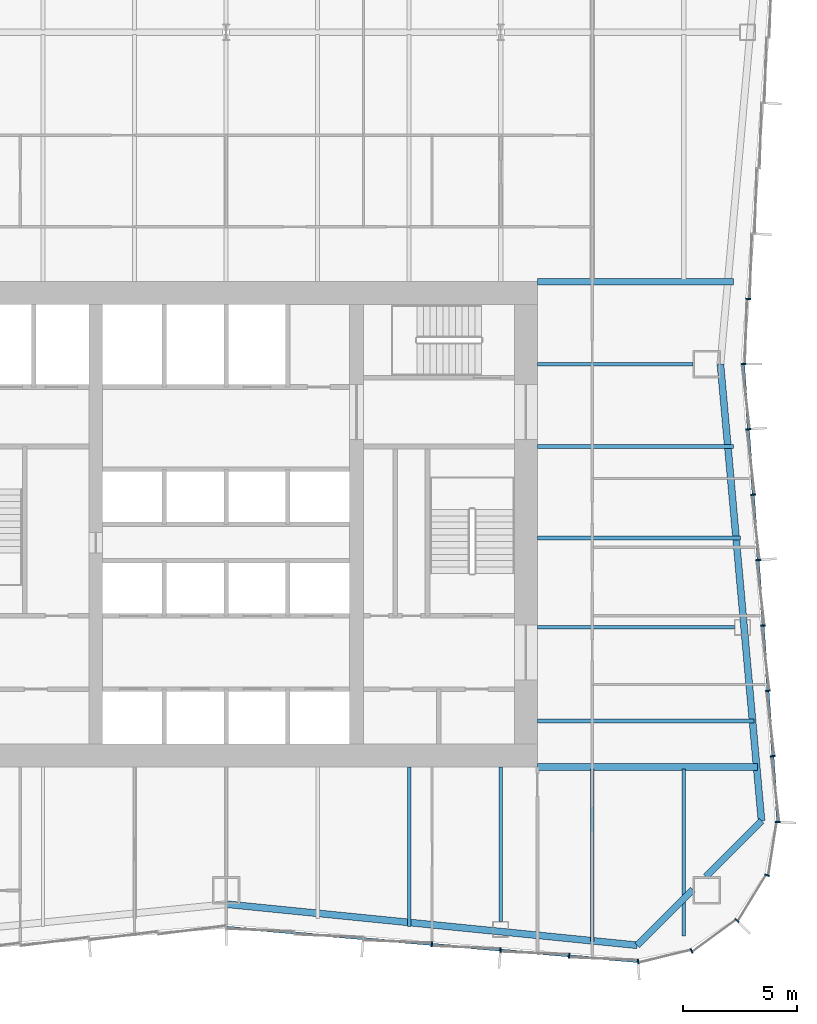
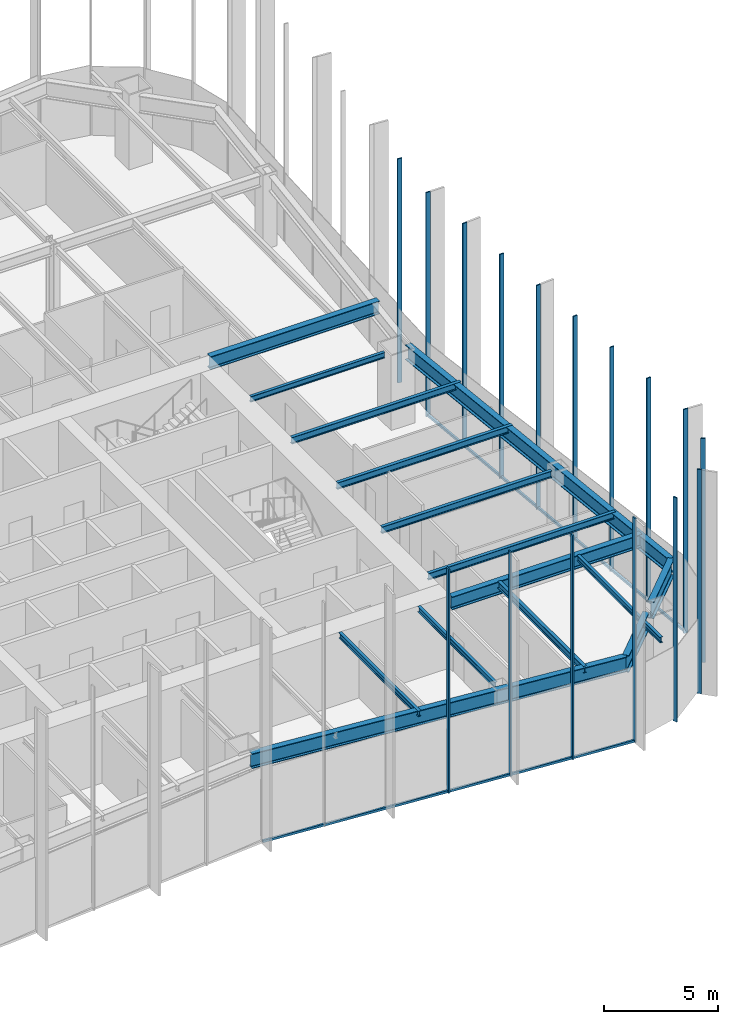
# One storey, part 4 of 13: 18 members, 15 beams, 3 elements without a shape of their own.
"""IFC4 building model written with IfcOpenShell, lengths in metres."""

from ifc_helpers import new_model, si_unit, direction, frame, origin, origin_2d, place, context, subcontext, project, spatial, rectangle, i_section, extrude, material, material_profile, profile_set, type_object, element, aggregate, save


model = new_model("IFC4")

# Units and contexts
model_context = context("Model", 3, precision=1e-05, world=origin(), true_north=direction((0.0, 1.0)))
body_context = subcontext(model_context, "Body", "Model", "MODEL_VIEW")
ifc_project = project(units=[si_unit("LENGTHUNIT", "METRE"), si_unit("AREAUNIT", "SQUARE_METRE"), si_unit("VOLUMEUNIT", "CUBIC_METRE"), si_unit("PLANEANGLEUNIT", "RADIAN"), si_unit("MASSUNIT", "GRAM", prefix="KILO")], contexts=[model_context])

# Site, building, storey
site_placement = place(None, origin())
site = spatial("IfcSite", under=ifc_project, at=site_placement, CompositionType="ELEMENT")
building_placement = place(site_placement, origin())
building = spatial("IfcBuilding", under=site, at=building_placement, Name="Verdant Reach Tower", CompositionType="ELEMENT")
storey_placement = place(building_placement, frame((0.0, 0.0, 138.0)))
storey = spatial("IfcBuildingStorey", under=building, at=storey_placement, Name="L31", CompositionType="ELEMENT", Elevation=138.0)

# Curtain wall, members
ifc_material_1 = material(Name="Anodised aluminium", Category="aluminium")
curtain_wall_type = type_object("IfcCurtainWallType", Name="EN-CW SYSTEM Z2", PredefinedType="NOTDEFINED", material=ifc_material_1)
curtain_wall_1_placement = place(storey_placement, origin())
curtain_wall_1 = element("IfcCurtainWall", 1, at=curtain_wall_1_placement, inside=storey, type_object=curtain_wall_type, Name="Curtain wall south-east corner, L31", PredefinedType="NOTDEFINED")
ifc_material_profile_1 = material_profile(ifc_material_1, rectangle(XDim=0.2119140625, YDim=0.06396484375, at=origin_2d()), Name="Mullion 64x212")
ifc_profile_set_1 = profile_set([ifc_material_profile_1], Name="Anodised aluminium")
member_type_1 = type_object("IfcMemberType", Name="EN-MULLION Z2", PredefinedType="MULLION", material=ifc_profile_set_1)
member_1_placement = place(storey_placement, frame((18.006103515625, 8.894287109375, -0.35009765625), z_axis=(0.0, 0.0, 1.0), x_axis=(0.056569187765, -0.998398681387, 0.0)))
member_1 = element("IfcMember", 2, at=member_1_placement, type_object=member_type_1, Name="Mullion south-east corner 1, L31", PredefinedType="MULLION", context=body_context, shape_type="SweptSolid", body=[
    extrude(rectangle(XDim=0.2119140625, YDim=0.06396484375, at=origin_2d()), origin(), (0.0, 0.0, 1.0), 12.0),
])
member_2_placement = place(storey_placement, frame((20.336669921875, 9.35888671875, -0.35009765625), z_axis=(0.0, 0.0, 1.0), x_axis=(0.382693853776, -0.923875215753, 0.0)))
member_2 = element("IfcMember", 3, at=member_2_placement, type_object=member_type_1, Name="Mullion south-east corner 2, L31", PredefinedType="MULLION", context=body_context, shape_type="SweptSolid", body=[
    extrude(rectangle(XDim=0.2119140625, YDim=0.06396484375, at=origin_2d()), origin(), (0.0, 0.0, 1.0), 12.0),
])
member_3_placement = place(storey_placement, frame((22.317626953125, 10.682373046875, -0.35009765625), z_axis=(0.0, 0.0, 1.0), x_axis=(0.707106781187, -0.707106781187, 0.0)))
member_3 = element("IfcMember", 4, at=member_3_placement, type_object=member_type_1, Name="Mullion south-east corner 3, L31", PredefinedType="MULLION", context=body_context, shape_type="SweptSolid", body=[
    extrude(rectangle(XDim=0.2119140625, YDim=0.06396484375, at=origin_2d()), origin(), (0.0, 0.0, 1.0), 12.0),
])
member_4_placement = place(storey_placement, frame((23.64111328125, 12.663330078125, -0.35009765625), z_axis=(0.0, 0.0, 1.0), x_axis=(0.923875215753, -0.382693853776, 0.0)))
member_4 = element("IfcMember", 5, at=member_4_placement, type_object=member_type_1, Name="Mullion south-east corner 4, L31", PredefinedType="MULLION", context=body_context, shape_type="SweptSolid", body=[
    extrude(rectangle(XDim=0.2119140625, YDim=0.06396484375, at=origin_2d()), origin(), (0.0, 0.0, 1.0), 12.0),
])
aggregate(curtain_wall_1, [member_1, member_2, member_3, member_4])

curtain_wall_2_placement = place(storey_placement, origin())
curtain_wall_2 = element("IfcCurtainWall", 6, at=curtain_wall_2_placement, inside=storey, type_object=curtain_wall_type, Name="Curtain wall east, L31", PredefinedType="NOTDEFINED")
member_5_placement = place(storey_placement, frame((24.105712890625, 14.99365234375, -0.35009765625), z_axis=(0.0, 0.0, 1.0), x_axis=(0.998155887542, -0.060702752526, 0.0)))
member_5 = element("IfcMember", 7, at=member_5_placement, type_object=member_type_1, Name="Mullion east face part 1 1, L31", PredefinedType="MULLION", context=body_context, shape_type="SweptSolid", body=[
    extrude(rectangle(XDim=0.2119140625, YDim=0.06396484375, at=origin_2d()), origin(), (0.0, 0.0, 1.0), 12.0),
])
member_6_placement = place(storey_placement, frame((23.891357421875, 17.864990234375, -0.35009765625), z_axis=(0.0, 0.0, 1.0), x_axis=(0.997199309888, 0.074789948245, 0.0)))
member_6 = element("IfcMember", 8, at=member_6_placement, type_object=member_type_1, Name="Mullion east face part 1 2, L31", PredefinedType="MULLION", context=body_context, shape_type="SweptSolid", body=[
    extrude(rectangle(XDim=0.2119140625, YDim=0.06396484375, at=origin_2d()), origin(), (0.0, 0.0, 1.0), 12.0),
])
member_7_placement = place(storey_placement, frame((23.67724609375, 20.72216796875, -0.35009765625), z_axis=(0.0, 0.0, 1.0), x_axis=(0.997199309888, 0.074789948245, 0.0)))
member_7 = element("IfcMember", 9, at=member_7_placement, type_object=member_type_1, Name="Mullion east face part 1 3, L31", PredefinedType="MULLION", context=body_context, shape_type="SweptSolid", body=[
    extrude(rectangle(XDim=0.2119140625, YDim=0.06396484375, at=origin_2d()), origin(), (0.0, 0.0, 1.0), 12.0),
])
member_8_placement = place(storey_placement, frame((23.462890625, 23.579345703125, -0.35009765625), z_axis=(0.0, 0.0, 1.0), x_axis=(0.997199309888, 0.074789948245, 0.0)))
member_8 = element("IfcMember", 10, at=member_8_placement, type_object=member_type_1, Name="Mullion east face part 1 4, L31", PredefinedType="MULLION", context=body_context, shape_type="SweptSolid", body=[
    extrude(rectangle(XDim=0.2119140625, YDim=0.06396484375, at=origin_2d()), origin(), (0.0, 0.0, 1.0), 12.0),
])
member_9_placement = place(storey_placement, frame((23.24853515625, 26.4365234375, -0.35009765625), z_axis=(0.0, 0.0, 1.0), x_axis=(0.997199309888, 0.074789948245, 0.0)))
member_9 = element("IfcMember", 11, at=member_9_placement, type_object=member_type_1, Name="Mullion east face part 1 5, L31", PredefinedType="MULLION", context=body_context, shape_type="SweptSolid", body=[
    extrude(rectangle(XDim=0.2119140625, YDim=0.06396484375, at=origin_2d()), origin(), (0.0, 0.0, 1.0), 12.0),
])
member_10_placement = place(storey_placement, frame((23.0341796875, 29.293701171875, -0.35009765625), z_axis=(0.0, 0.0, 1.0), x_axis=(0.997199309888, 0.074789948245, 0.0)))
member_10 = element("IfcMember", 12, at=member_10_placement, type_object=member_type_1, Name="Mullion east face part 1 6, L31", PredefinedType="MULLION", context=body_context, shape_type="SweptSolid", body=[
    extrude(rectangle(XDim=0.2119140625, YDim=0.06396484375, at=origin_2d()), origin(), (0.0, 0.0, 1.0), 12.0),
])
member_11_placement = place(storey_placement, frame((22.820068359375, 32.15087890625, -0.35009765625), z_axis=(0.0, 0.0, 1.0), x_axis=(0.997199309888, 0.074789948245, 0.0)))
member_11 = element("IfcMember", 13, at=member_11_placement, type_object=member_type_1, Name="Mullion east face part 1 7, L31", PredefinedType="MULLION", context=body_context, shape_type="SweptSolid", body=[
    extrude(rectangle(XDim=0.2119140625, YDim=0.06396484375, at=origin_2d()), origin(), (0.0, 0.0, 1.0), 12.0),
])
member_12_placement = place(storey_placement, frame((22.60595703125, 35.0, -0.35009765625), z_axis=(0.0, 0.0, 1.0), x_axis=(1.0, 0.0, 0.0)))
member_12 = element("IfcMember", 14, at=member_12_placement, type_object=member_type_1, Name="Mullion east face part 2 1, L31", PredefinedType="MULLION", context=body_context, shape_type="SweptSolid", body=[
    extrude(rectangle(XDim=0.2119140625, YDim=0.06396484375, at=origin_2d()), origin(), (0.0, 0.0, 1.0), 12.0),
])
member_13_placement = place(storey_placement, frame((22.820068359375, 37.84912109375, -0.35009765625), z_axis=(0.0, 0.0, 1.0), x_axis=(0.997199309888, -0.074789948245, 0.0)))
member_13 = element("IfcMember", 15, at=member_13_placement, type_object=member_type_1, Name="Mullion east face part 2 2, L31", PredefinedType="MULLION", context=body_context, shape_type="SweptSolid", body=[
    extrude(rectangle(XDim=0.2119140625, YDim=0.06396484375, at=origin_2d()), origin(), (0.0, 0.0, 1.0), 12.0),
])

curtain_wall_3_placement = place(storey_placement, origin())
curtain_wall_3 = element("IfcCurtainWall", 16, at=curtain_wall_3_placement, inside=storey, type_object=curtain_wall_type, Name="Curtain wall south, L31", PredefinedType="NOTDEFINED")
member_14_placement = place(storey_placement, frame((8.9912109375, 9.644287109375, -0.35009765625), z_axis=(0.0, 0.0, 1.0), x_axis=(-0.083045479859, -0.996545758244, 0.0)))
member_14 = element("IfcMember", 17, at=member_14_placement, type_object=member_type_1, Name="Mullion south face part 2 4, L31", PredefinedType="MULLION", context=body_context, shape_type="SweptSolid", body=[
    extrude(rectangle(XDim=0.2119140625, YDim=0.06396484375, at=origin_2d()), origin(), (0.0, 0.0, 1.0), 12.0),
])
member_15_placement = place(storey_placement, frame((11.9912109375, 9.394287109375, -0.35009765625), z_axis=(0.0, 0.0, 1.0), x_axis=(-0.083045479859, -0.996545758244, 0.0)))
member_15 = element("IfcMember", 18, at=member_15_placement, type_object=member_type_1, Name="Mullion south face part 2 5, L31", PredefinedType="MULLION", context=body_context, shape_type="SweptSolid", body=[
    extrude(rectangle(XDim=0.2119140625, YDim=0.06396484375, at=origin_2d()), origin(), (0.0, 0.0, 1.0), 12.0),
])
member_16_placement = place(storey_placement, frame((14.9912109375, 9.144287109375, -0.35009765625), z_axis=(0.0, 0.0, 1.0), x_axis=(-0.083045479859, -0.996545758244, 0.0)))
member_16 = element("IfcMember", 19, at=member_16_placement, type_object=member_type_1, Name="Mullion south face part 2 6, L31", PredefinedType="MULLION", context=body_context, shape_type="SweptSolid", body=[
    extrude(rectangle(XDim=0.2119140625, YDim=0.06396484375, at=origin_2d()), origin(), (0.0, 0.0, 1.0), 12.0),
])

# Member
ifc_material_profile_2 = material_profile(ifc_material_1, rectangle(XDim=0.10009765625, YDim=0.1240234375, at=origin_2d()), Name="Transom 124x100")
ifc_profile_set_2 = profile_set([ifc_material_profile_2], Name="Anodised aluminium")
member_type_2 = type_object("IfcMemberType", Name="EN-TRANSOM Z2", PredefinedType="USERDEFINED", material=ifc_profile_set_2)
member_17_placement = place(storey_placement, frame((24.103515625, 15.025390625, -0.2880859375), z_axis=(-0.07476111665, 0.997201471839, 0.0), x_axis=(-0.997201471839, -0.07476111665, 0.0)))
member_17 = element("IfcMember", 20, at=member_17_placement, type_object=member_type_2, Name="Transom east face part 1 1.1, L31", ObjectType="TRANSOM", PredefinedType="USERDEFINED", context=body_context, shape_type="SweptSolid", body=[
    extrude(rectangle(XDim=0.10009765625, YDim=0.1240234375, at=origin_2d()), origin(), (0.0, 0.0, 1.0), 19.99853515625),
])

aggregate(curtain_wall_2, [member_5, member_6, member_7, member_8, member_9, member_10, member_11, member_17, member_12, member_13])

member_18_placement = place(storey_placement, frame((0.031982421875, 10.391357421875, -0.2880859375), z_axis=(0.996548282776, -0.083015179915, 0.0), x_axis=(0.083015179915, 0.996548282776, 0.0)))
member_18 = element("IfcMember", 21, at=member_18_placement, type_object=member_type_2, Name="Transom south face part 2 1.1, L31", ObjectType="TRANSOM", PredefinedType="USERDEFINED", context=body_context, shape_type="SweptSolid", body=[
    extrude(rectangle(XDim=0.10009765625, YDim=0.1240234375, at=origin_2d()), origin(), (0.0, 0.0, 1.0), 18.00439453125),
])

aggregate(curtain_wall_3, [member_14, member_15, member_16, member_18])

# Beams
ifc_material_2 = material(Name="Steel S355", Category="steel")
ifc_material_profile_3 = material_profile(ifc_material_2, i_section(OverallWidth=0.300048828125, OverallDepth=0.699951171875, WebThickness=0.01708984375, FlangeThickness=0.031982421875, FilletRadius=0.027099609375, at=origin_2d()), Name="HEB 700")
ifc_profile_set_3 = profile_set([ifc_material_profile_3], Name="Steel S355")
beam_type_1 = type_object("IfcBeamType", Name="ST-BEAM-HEB700", PredefinedType="BEAM", material=ifc_profile_set_3)
beam_1_placement = place(storey_placement, frame((13.60009765625, 38.60009765625, 3.52001953125), z_axis=(1.0, 0.0, 0.0), x_axis=(0.0, 1.0, 0.0)))
element("IfcBeam", 22, at=beam_1_placement, inside=storey, type_object=beam_type_1, Name="Trimmer beam, L31", PredefinedType="BEAM", context=body_context, shape_type="SweptSolid", body=[
    extrude(i_section(OverallWidth=0.300048828125, OverallDepth=0.699951171875, WebThickness=0.01708984375, FlangeThickness=0.031982421875, FilletRadius=0.027099609375, at=origin_2d()), origin(), (0.0, 0.0, 1.0), 8.568115234375),
])
beam_2_placement = place(storey_placement, frame((13.60009765625, 17.39990234375, 3.52001953125), z_axis=(1.0, 0.0, 0.0), x_axis=(0.0, 1.0, 0.0)))
element("IfcBeam", 23, at=beam_2_placement, inside=storey, type_object=beam_type_1, Name="Trimmer beam, L31", PredefinedType="BEAM", context=body_context, shape_type="SweptSolid", body=[
    extrude(i_section(OverallWidth=0.300048828125, OverallDepth=0.699951171875, WebThickness=0.01708984375, FlangeThickness=0.031982421875, FilletRadius=0.027099609375, at=origin_2d()), origin(), (0.0, 0.0, 1.0), 9.6181640625),
])
ifc_material_profile_4 = material_profile(ifc_material_2, i_section(OverallWidth=0.14990234375, OverallDepth=0.300048828125, WebThickness=0.007080078125, FlangeThickness=0.0107421875, FilletRadius=0.014892578125, at=origin_2d()), Name="IPE 300")
ifc_profile_set_4 = profile_set([ifc_material_profile_4], Name="Steel S355")
beam_type_2 = type_object("IfcBeamType", Name="ST-JOIST-IPE300", PredefinedType="JOIST", material=ifc_profile_set_4)
beam_3_placement = place(storey_placement, frame((8.0, 17.39990234375, 3.719970703125), z_axis=(0.0, -1.0, 0.0), x_axis=(1.0, 0.0, 0.0)))
element("IfcBeam", 24, at=beam_3_placement, inside=storey, type_object=beam_type_2, Name="Floor joist, L31", PredefinedType="JOIST", context=body_context, shape_type="SweptSolid", body=[
    extrude(i_section(OverallWidth=0.14990234375, OverallDepth=0.300048828125, WebThickness=0.007080078125, FlangeThickness=0.0107421875, FilletRadius=0.014892578125, at=origin_2d()), origin(), (0.0, 0.0, 1.0), 6.964599609375),
])
beam_4_placement = place(storey_placement, frame((12.0, 17.39990234375, 3.719970703125), z_axis=(0.0, -1.0, 0.0), x_axis=(1.0, 0.0, 0.0)))
element("IfcBeam", 25, at=beam_4_placement, inside=storey, type_object=beam_type_2, Name="Floor joist, L31", PredefinedType="JOIST", context=body_context, shape_type="SweptSolid", body=[
    extrude(i_section(OverallWidth=0.14990234375, OverallDepth=0.300048828125, WebThickness=0.007080078125, FlangeThickness=0.0107421875, FilletRadius=0.014892578125, at=origin_2d()), origin(), (0.0, 0.0, 1.0), 6.75),
])
beam_5_placement = place(storey_placement, frame((20.0, 17.300048828125, 3.719970703125), z_axis=(0.0, -1.0, 0.0), x_axis=(1.0, 0.0, 0.0)))
element("IfcBeam", 26, at=beam_5_placement, inside=storey, type_object=beam_type_2, Name="Floor joist, L31", PredefinedType="JOIST", context=body_context, shape_type="SweptSolid", body=[
    extrude(i_section(OverallWidth=0.14990234375, OverallDepth=0.300048828125, WebThickness=0.007080078125, FlangeThickness=0.0107421875, FilletRadius=0.014892578125, at=origin_2d()), origin(), (0.0, 0.0, 1.0), 7.29052734375),
])
beam_6_placement = place(storey_placement, frame((13.60009765625, 35.0, 3.719970703125), z_axis=(1.0, 0.0, 0.0), x_axis=(0.0, 1.0, 0.0)))
element("IfcBeam", 27, at=beam_6_placement, inside=storey, type_object=beam_type_2, Name="Floor joist, L31", PredefinedType="JOIST", context=body_context, shape_type="SweptSolid", body=[
    extrude(i_section(OverallWidth=0.14990234375, OverallDepth=0.300048828125, WebThickness=0.007080078125, FlangeThickness=0.0107421875, FilletRadius=0.014892578125, at=origin_2d()), origin(), (0.0, 0.0, 1.0), 6.7998046875),
])
ifc_material_profile_5 = material_profile(ifc_material_2, i_section(OverallWidth=0.169921875, OverallDepth=0.360107421875, WebThickness=0.008056640625, FlangeThickness=0.0126953125, FilletRadius=0.01806640625, at=origin_2d()), Name="IPE 360")
ifc_profile_set_5 = profile_set([ifc_material_profile_5], Name="Steel S355")
beam_type_3 = type_object("IfcBeamType", Name="ST-JOIST-IPE360", PredefinedType="JOIST", material=ifc_profile_set_5)
beam_7_placement = place(storey_placement, frame((16.0, 17.300048828125, 3.68994140625), z_axis=(0.0, -1.0, 0.0), x_axis=(1.0, 0.0, 0.0)))
element("IfcBeam", 28, at=beam_7_placement, inside=storey, type_object=beam_type_3, Name="Floor joist, L31", PredefinedType="JOIST", context=body_context, shape_type="SweptSolid", body=[
    extrude(i_section(OverallWidth=0.169921875, OverallDepth=0.360107421875, WebThickness=0.008056640625, FlangeThickness=0.0126953125, FilletRadius=0.01806640625, at=origin_2d()), origin(), (0.0, 0.0, 1.0), 7.53125),
])
beam_8_placement = place(storey_placement, frame((13.60009765625, 19.39990234375, 3.68994140625), z_axis=(1.0, 0.0, 0.0), x_axis=(0.0, 1.0, 0.0)))
element("IfcBeam", 29, at=beam_8_placement, inside=storey, type_object=beam_type_3, Name="Floor joist, L31", PredefinedType="JOIST", context=body_context, shape_type="SweptSolid", body=[
    extrude(i_section(OverallWidth=0.169921875, OverallDepth=0.360107421875, WebThickness=0.008056640625, FlangeThickness=0.0126953125, FilletRadius=0.01806640625, at=origin_2d()), origin(), (0.0, 0.0, 1.0), 9.46826171875),
])
beam_9_placement = place(storey_placement, frame((13.60009765625, 23.5, 3.68994140625), z_axis=(1.0, 0.0, 0.0), x_axis=(0.0, 1.0, 0.0)))
element("IfcBeam", 30, at=beam_9_placement, inside=storey, type_object=beam_type_3, Name="Floor joist, L31", PredefinedType="JOIST", context=body_context, shape_type="SweptSolid", body=[
    extrude(i_section(OverallWidth=0.169921875, OverallDepth=0.360107421875, WebThickness=0.008056640625, FlangeThickness=0.0126953125, FilletRadius=0.01806640625, at=origin_2d()), origin(), (0.0, 0.0, 1.0), 8.6123046875),
])
beam_10_placement = place(storey_placement, frame((13.60009765625, 27.39990234375, 3.68994140625), z_axis=(1.0, 0.0, 0.0), x_axis=(0.0, 1.0, 0.0)))
element("IfcBeam", 31, at=beam_10_placement, inside=storey, type_object=beam_type_3, Name="Floor joist, L31", PredefinedType="JOIST", context=body_context, shape_type="SweptSolid", body=[
    extrude(i_section(OverallWidth=0.169921875, OverallDepth=0.360107421875, WebThickness=0.008056640625, FlangeThickness=0.0126953125, FilletRadius=0.01806640625, at=origin_2d()), origin(), (0.0, 0.0, 1.0), 8.8681640625),
])
beam_11_placement = place(storey_placement, frame((13.60009765625, 31.39990234375, 3.68994140625), z_axis=(1.0, 0.0, 0.0), x_axis=(0.0, 1.0, 0.0)))
element("IfcBeam", 32, at=beam_11_placement, inside=storey, type_object=beam_type_3, Name="Floor joist, L31", PredefinedType="JOIST", context=body_context, shape_type="SweptSolid", body=[
    extrude(i_section(OverallWidth=0.169921875, OverallDepth=0.360107421875, WebThickness=0.008056640625, FlangeThickness=0.0126953125, FilletRadius=0.01806640625, at=origin_2d()), origin(), (0.0, 0.0, 1.0), 8.568115234375),
])
ifc_material_profile_6 = material_profile(ifc_material_2, i_section(OverallWidth=0.300048828125, OverallDepth=0.800048828125, WebThickness=0.017578125, FlangeThickness=0.032958984375, FilletRadius=0.030029296875, at=origin_2d()), Name="HEB 800")
ifc_profile_set_6 = profile_set([ifc_material_profile_6], Name="Steel S355")
beam_type_4 = type_object("IfcBeamType", Name="ST-SPANDREL-HEB800", PredefinedType="SPANDREL", material=ifc_profile_set_6)
beam_12_placement = place(storey_placement, frame((17.9658203125, 9.60498046875, 3.469970703125), z_axis=(-0.995046289869, 0.099412680371, 0.0), x_axis=(-0.099412680371, -0.995046289869, 0.0)))
element("IfcBeam", 33, at=beam_12_placement, inside=storey, type_object=beam_type_4, Name="Edge beam, L31", PredefinedType="SPANDREL", context=body_context, shape_type="SweptSolid", body=[
    extrude(i_section(OverallWidth=0.300048828125, OverallDepth=0.800048828125, WebThickness=0.017578125, FlangeThickness=0.032958984375, FilletRadius=0.030029296875, at=origin_2d()), origin(), (0.0, 0.0, 1.0), 18.05517578125),
])
beam_13_placement = place(storey_placement, frame((21.60009765625, 35.0, 3.469970703125), z_axis=(0.089574749266, -0.995980102358, 0.0), x_axis=(0.995980102358, 0.089574749266, 0.0)))
element("IfcBeam", 34, at=beam_13_placement, inside=storey, type_object=beam_type_4, Name="Edge beam, L31", PredefinedType="SPANDREL", context=body_context, shape_type="SweptSolid", body=[
    extrude(i_section(OverallWidth=0.300048828125, OverallDepth=0.800048828125, WebThickness=0.017578125, FlangeThickness=0.032958984375, FilletRadius=0.030029296875, at=origin_2d()), origin(), (0.0, 0.0, 1.0), 20.043701171875),
])
ifc_material_profile_7 = material_profile(ifc_material_2, i_section(OverallWidth=0.302001953125, OverallDepth=0.909912109375, WebThickness=0.02099609375, FlangeThickness=0.0400390625, FilletRadius=0.030029296875, at=origin_2d()), Name="HEM 900")
ifc_profile_set_7 = profile_set([ifc_material_profile_7], Name="Steel S355")
beam_type_5 = type_object("IfcBeamType", Name="ST-SPANDREL-HEM900", PredefinedType="SPANDREL", material=ifc_profile_set_7)
beam_14_placement = place(storey_placement, frame((23.3955078125, 15.036865234375, 3.4150390625), z_axis=(-0.706965048022, -0.707248485948, 0.0), x_axis=(0.707248485948, -0.706965048022, 0.0)))
element("IfcBeam", 35, at=beam_14_placement, inside=storey, type_object=beam_type_5, Name="Edge beam, L31", PredefinedType="SPANDREL", context=body_context, shape_type="SweptSolid", body=[
    extrude(i_section(OverallWidth=0.302001953125, OverallDepth=0.909912109375, WebThickness=0.02099609375, FlangeThickness=0.0400390625, FilletRadius=0.030029296875, at=origin_2d()), origin(), (0.0, 0.0, 1.0), 3.4453125),
])
beam_15_placement = place(storey_placement, frame((20.39990234375, 12.0400390625, 3.4150390625), z_axis=(-0.70696494852, -0.70724858541, 0.0), x_axis=(0.70724858541, -0.70696494852, 0.0)))
element("IfcBeam", 36, at=beam_15_placement, inside=storey, type_object=beam_type_5, Name="Edge beam, L31", PredefinedType="SPANDREL", context=body_context, shape_type="SweptSolid", body=[
    extrude(i_section(OverallWidth=0.302001953125, OverallDepth=0.909912109375, WebThickness=0.02099609375, FlangeThickness=0.0400390625, FilletRadius=0.030029296875, at=origin_2d()), origin(), (0.0, 0.0, 1.0), 3.443115234375),
])

save(model, "model.ifc")
